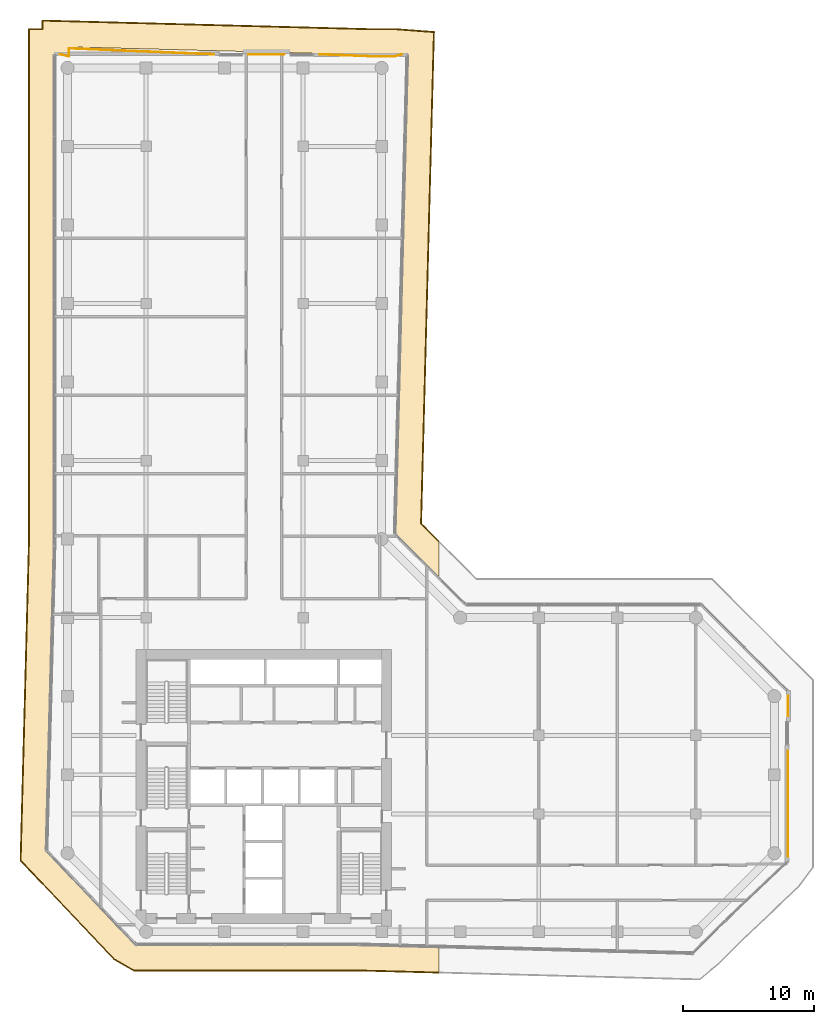
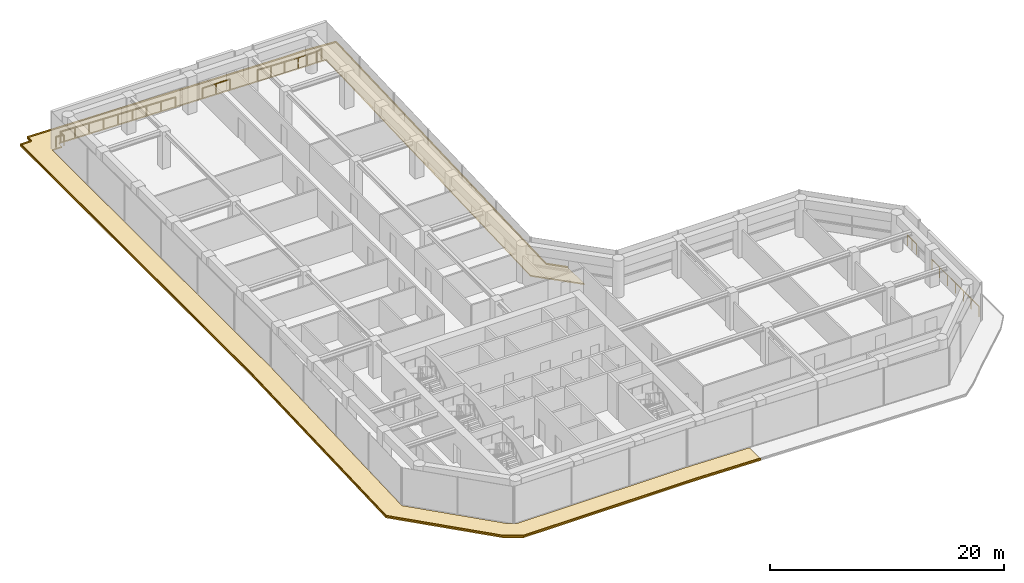
# One storey, part 23 of 23: 5 railings, 2 coverings.
"""IFC4 building model written with IfcOpenShell, lengths in metres."""

from ifc_helpers import new_model, si_unit, direction, frame, origin, origin_2d, place, context, subcontext, project, spatial, polyline, circle, outline, extrude, material, layer, layer_set, type_object, element, save


model = new_model("IFC4")

# Units and contexts
model_context = context("Model", 3, precision=1e-05, world=origin(), true_north=direction((0.0, 1.0)))
body_context = subcontext(model_context, "Body", "Model", "MODEL_VIEW")
ifc_project = project(units=[si_unit("LENGTHUNIT", "METRE"), si_unit("AREAUNIT", "SQUARE_METRE"), si_unit("VOLUMEUNIT", "CUBIC_METRE"), si_unit("PLANEANGLEUNIT", "RADIAN"), si_unit("MASSUNIT", "GRAM", prefix="KILO")], contexts=[model_context])

# Site, building, storey
site_placement = place(None, origin())
site = spatial("IfcSite", under=ifc_project, at=site_placement, CompositionType="ELEMENT")
building_placement = place(site_placement, origin())
building = spatial("IfcBuilding", under=site, at=building_placement, Name="Welwitschia Terrace Campus", CompositionType="ELEMENT")
storey_placement = place(building_placement, frame((0.0, 0.0, 117.199951171875)))
storey = spatial("IfcBuildingStorey", under=building, at=storey_placement, Name="L26", CompositionType="ELEMENT", Elevation=117.199951171875)

# Railings
ifc_material_1 = material(Name="Stainless steel grade 316", Category="steel")
railing_type = type_object("IfcRailingType", Name="Guard 1100", PredefinedType="GUARDRAIL", material=ifc_material_1)
railing_1_placement = place(storey_placement, frame((-0.580078125, 71.030029296875, 0.0)))
element("IfcRailing", 1, at=railing_1_placement, inside=storey, type_object=railing_type, Name="Guard floor edge L26.0", PredefinedType="GUARDRAIL", context=body_context, shape_type="SweptSolid", body=[
    extrude(circle(Radius=0.02392578125, at=origin_2d()), frame((0.0, 0.0, 1.076171875), z_axis=(0.97642595742, -0.215852611004, 0.0), x_axis=(0.215852611004, 0.97642595742, 0.0)), (0.0, 0.0, 1.0), 0.695556640625),
    extrude(circle(Radius=0.02392578125, at=origin_2d()), frame((0.67919921875, -0.150146484375, 1.076171875), z_axis=(0.026264178417, 0.999655036966, 0.0), x_axis=(-0.999655036966, 0.026264178417, 0.0)), (0.0, 0.0, 1.0), 0.604248046875),
    extrude(circle(Radius=0.02392578125, at=origin_2d()), frame((0.695068359375, 0.453857421875, 1.076171875), z_axis=(0.999159467532, -0.040992175365, 0.0), x_axis=(0.040992175365, 0.999159467532, 0.0)), (0.0, 0.0, 1.0), 11.07177734375),
    extrude(circle(Radius=0.02099609375, at=origin_2d()), origin(), (0.0, 0.0, 1.0), 1.052001953125),
    extrude(circle(Radius=0.02099609375, at=origin_2d()), frame((0.67919921875, -0.150146484375, 0.0)), (0.0, 0.0, 1.0), 1.052001953125),
    extrude(circle(Radius=0.02099609375, at=origin_2d()), frame((0.695068359375, 0.453857421875, 0.0)), (0.0, 0.0, 1.0), 1.052001953125),
    extrude(circle(Radius=0.02099609375, at=origin_2d()), frame((2.077880859375, 0.397216796875, 0.0)), (0.0, 0.0, 1.0), 1.052001953125),
    extrude(circle(Radius=0.02099609375, at=origin_2d()), frame((3.460693359375, 0.34033203125, 0.0)), (0.0, 0.0, 1.0), 1.052001953125),
    extrude(circle(Radius=0.02099609375, at=origin_2d()), frame((4.843505859375, 0.28369140625, 0.0)), (0.0, 0.0, 1.0), 1.052001953125),
    extrude(circle(Radius=0.02099609375, at=origin_2d()), frame((6.226318359375, 0.22705078125, 0.0)), (0.0, 0.0, 1.0), 1.052001953125),
    extrude(circle(Radius=0.02099609375, at=origin_2d()), frame((7.609130859375, 0.170166015625, 0.0)), (0.0, 0.0, 1.0), 1.052001953125),
    extrude(circle(Radius=0.02099609375, at=origin_2d()), frame((8.991943359375, 0.113525390625, 0.0)), (0.0, 0.0, 1.0), 1.052001953125),
    extrude(circle(Radius=0.02099609375, at=origin_2d()), frame((10.374755859375, 0.056640625, 0.0)), (0.0, 0.0, 1.0), 1.052001953125),
    extrude(circle(Radius=0.02099609375, at=origin_2d()), frame((11.757568359375, 0.0, 0.0)), (0.0, 0.0, 1.0), 1.052001953125),
])
railing_2_placement = place(storey_placement, frame((13.835693359375, 71.030029296875, 0.0)))
element("IfcRailing", 2, at=railing_2_placement, inside=storey, type_object=railing_type, Name="Guard floor edge L26.1", PredefinedType="GUARDRAIL", context=body_context, shape_type="SweptSolid", body=[
    extrude(circle(Radius=0.02392578125, at=origin_2d()), frame((0.0, 0.0, 1.076171875), z_axis=(1.0, 0.0, 0.0), x_axis=(0.0, 1.0, 0.0)), (0.0, 0.0, 1.0), 2.721923828125),
    extrude(circle(Radius=0.02099609375, at=origin_2d()), origin(), (0.0, 0.0, 1.0), 1.052001953125),
    extrude(circle(Radius=0.02099609375, at=origin_2d()), frame((1.36083984375, 0.0, 0.0)), (0.0, 0.0, 1.0), 1.052001953125),
    extrude(circle(Radius=0.02099609375, at=origin_2d()), frame((2.721923828125, 0.0, 0.0)), (0.0, 0.0, 1.0), 1.052001953125),
])
railing_3_placement = place(storey_placement, frame((19.253662109375, 71.030029296875, 0.0)))
element("IfcRailing", 3, at=railing_3_placement, inside=storey, type_object=railing_type, Name="Guard floor edge L26.2", PredefinedType="GUARDRAIL", context=body_context, shape_type="SweptSolid", body=[
    extrude(circle(Radius=0.02392578125, at=origin_2d()), frame((0.0, 0.0, 1.076171875), z_axis=(0.999266773441, -0.038287275912, 0.0), x_axis=(0.038287275912, 0.999266773441, 0.0)), (0.0, 0.0, 1.0), 3.921630859375),
    extrude(circle(Radius=0.02392578125, at=origin_2d()), frame((3.918701171875, -0.150146484375, 1.076171875), z_axis=(1.0, 0.0, 0.0), x_axis=(0.0, 1.0, 0.0)), (0.0, 0.0, 1.0), 1.8232421875),
    extrude(circle(Radius=0.02392578125, at=origin_2d()), frame((5.741943359375, -0.150146484375, 1.076171875), z_axis=(0.96712807534, 0.254289767565, 0.0), x_axis=(-0.254289767565, 0.96712807534, 0.0)), (0.0, 0.0, 1.0), 0.590576171875),
    extrude(circle(Radius=0.02099609375, at=origin_2d()), origin(), (0.0, 0.0, 1.0), 1.052001953125),
    extrude(circle(Radius=0.02099609375, at=origin_2d()), frame((1.30615234375, -0.050048828125, 0.0)), (0.0, 0.0, 1.0), 1.052001953125),
    extrude(circle(Radius=0.02099609375, at=origin_2d()), frame((2.612548828125, -0.10009765625, 0.0)), (0.0, 0.0, 1.0), 1.052001953125),
    extrude(circle(Radius=0.02099609375, at=origin_2d()), frame((3.918701171875, -0.150146484375, 0.0)), (0.0, 0.0, 1.0), 1.052001953125),
    extrude(circle(Radius=0.02099609375, at=origin_2d()), frame((4.830322265625, -0.150146484375, 0.0)), (0.0, 0.0, 1.0), 1.052001953125),
    extrude(circle(Radius=0.02099609375, at=origin_2d()), frame((5.741943359375, -0.150146484375, 0.0)), (0.0, 0.0, 1.0), 1.052001953125),
    extrude(circle(Radius=0.02099609375, at=origin_2d()), frame((6.31298828125, 0.0, 0.0)), (0.0, 0.0, 1.0), 1.052001953125),
])
railing_4_placement = place(storey_placement, frame((55.030029296875, 17.8291015625, 0.0)))
element("IfcRailing", 4, at=railing_4_placement, inside=storey, type_object=railing_type, Name="Guard floor edge L26.3", PredefinedType="GUARDRAIL", context=body_context, shape_type="SweptSolid", body=[
    extrude(circle(Radius=0.02392578125, at=origin_2d()), frame((0.0, 0.0, 1.076171875), z_axis=(0.0, -1.0, 0.0), x_axis=(1.0, 0.0, 0.0)), (0.0, 0.0, 1.0), 8.07373046875),
    extrude(circle(Radius=0.02099609375, at=origin_2d()), origin(), (0.0, 0.0, 1.0), 1.052001953125),
    extrude(circle(Radius=0.02099609375, at=origin_2d()), frame((0.0, -1.345703125, 0.0)), (0.0, 0.0, 1.0), 1.052001953125),
    extrude(circle(Radius=0.02099609375, at=origin_2d()), frame((0.0, -2.691162109375, 0.0)), (0.0, 0.0, 1.0), 1.052001953125),
    extrude(circle(Radius=0.02099609375, at=origin_2d()), frame((0.0, -4.036865234375, 0.0)), (0.0, 0.0, 1.0), 1.052001953125),
    extrude(circle(Radius=0.02099609375, at=origin_2d()), frame((0.0, -5.382568359375, 0.0)), (0.0, 0.0, 1.0), 1.052001953125),
    extrude(circle(Radius=0.02099609375, at=origin_2d()), frame((0.0, -6.72802734375, 0.0)), (0.0, 0.0, 1.0), 1.052001953125),
    extrude(circle(Radius=0.02099609375, at=origin_2d()), frame((0.0, -8.07373046875, 0.0)), (0.0, 0.0, 1.0), 1.052001953125),
])
railing_5_placement = place(storey_placement, frame((55.030029296875, 22.0029296875, 0.0)))
element("IfcRailing", 5, at=railing_5_placement, inside=storey, type_object=railing_type, Name="Guard floor edge L26.4", PredefinedType="GUARDRAIL", context=body_context, shape_type="SweptSolid", body=[
    extrude(circle(Radius=0.02392578125, at=origin_2d()), frame((0.0, 0.0, 1.076171875), z_axis=(0.0, -1.0, 0.0), x_axis=(1.0, 0.0, 0.0)), (0.0, 0.0, 1.0), 1.5263671875),
    extrude(circle(Radius=0.02099609375, at=origin_2d()), origin(), (0.0, 0.0, 1.0), 1.052001953125),
    extrude(circle(Radius=0.02099609375, at=origin_2d()), frame((0.0, -0.76318359375, 0.0)), (0.0, 0.0, 1.0), 1.052001953125),
    extrude(circle(Radius=0.02099609375, at=origin_2d()), frame((0.0, -1.5263671875, 0.0)), (0.0, 0.0, 1.0), 1.052001953125),
])

# Coverings
ifc_material_2 = material(Name="Bronze anodised aluminium", Category="aluminium")
ifc_layer_1 = layer(ifc_material_2, 0.1201171875)
ifc_layer_set_1 = layer_set([ifc_layer_1], Name="Bronze anodised aluminium")
covering_type_1 = type_object("IfcCoveringType", Name="Sunshade band 2000", PredefinedType="USERDEFINED", material=ifc_layer_set_1)
covering_1_placement = place(storey_placement, frame((0.0, 0.0, -0.25)))
element("IfcCovering", 6, at=covering_1_placement, inside=storey, type_object=covering_type_1, Name="SUNSHADE L26.SW0", ObjectType="SUNSHADE", PredefinedType="USERDEFINED", context=body_context, shape_type="SweptSolid", body=[
    extrude(outline(polyline([(-1.966064453125, 73.0), (-1.94873046875, 73.658447265625), (23.2001953125, 73.0), (25.074462890625, 73.0), (28.038330078125, 72.779052734375), (27.05419921875, 35.188720703125), (28.390380859375, 33.852294921875), (28.390380859375, 31.023681640625), (25.0322265625, 34.3818359375), (25.9892578125, 70.92626953125), (25.0, 71.0), (23.174072265625, 71.0), (-0.001953125, 71.60693359375), (-0.017822265625, 71.0), (-1.0, 71.0), (-1.0, 33.490234375), (-1.609619140625, 10.213623046875), (4.801513671875, 3.457763671875), (5.585693359375, 3.0), (22.28369140625, 3.0), (28.390380859375, 2.840087890625), (28.390380859375, 0.83935546875), (22.257568359375, 1.0), (5.044677734375, 1.0), (3.547119140625, 1.874267578125), (-3.630615234375, 9.43798828125), (-3.0, 33.516357421875), (-3.0, 73.0), (-1.966064453125, 73.0)])), origin(), (0.0, 0.0, 1.0), 0.1201171875),
])
ifc_material_3 = material(Name="Bronze anodised aluminium", Category="aluminium")
ifc_layer_2 = layer(ifc_material_3, 0.06005859375)
ifc_layer_set_2 = layer_set([ifc_layer_2], Name="Bronze anodised aluminium")
covering_type_2 = type_object("IfcCoveringType", Name="Sunshade lip 60", PredefinedType="USERDEFINED", material=ifc_layer_set_2)
covering_2_placement = place(storey_placement, frame((0.0, 0.0, -0.1298828125)))
element("IfcCovering", 7, at=covering_2_placement, inside=storey, type_object=covering_type_2, Name="SUNSHADE LIP L26.SW0.0", ObjectType="SUNSHADE", PredefinedType="USERDEFINED", context=body_context, shape_type="SweptSolid", body=[
    extrude(outline(polyline([(-1.94873046875, 73.658447265625), (23.2001953125, 73.0), (25.074462890625, 73.0), (28.038330078125, 72.779052734375), (27.05419921875, 35.188720703125), (28.390380859375, 33.852294921875), (28.390380859375, 33.767333984375), (26.993408203125, 35.164306640625), (27.976806640625, 72.723388671875), (25.072265625, 72.93994140625), (23.199462890625, 72.93994140625), (-1.890380859375, 73.596923828125), (-1.90771484375, 72.93994140625), (-2.93994140625, 72.93994140625), (-2.93994140625, 33.515625), (-3.56982421875, 9.461181640625), (3.584716796875, 1.921875), (5.06103515625, 1.06005859375), (22.25830078125, 1.06005859375), (28.390380859375, 0.8994140625), (28.390380859375, 0.83935546875), (22.257568359375, 1.0), (5.044677734375, 1.0), (3.547119140625, 1.874267578125), (-3.630615234375, 9.43798828125), (-3.0, 33.516357421875), (-3.0, 73.0), (-1.966064453125, 73.0), (-1.94873046875, 73.658447265625)])), origin(), (0.0, 0.0, 1.0), 0.1298828125),
])

save(model, "model.ifc")
